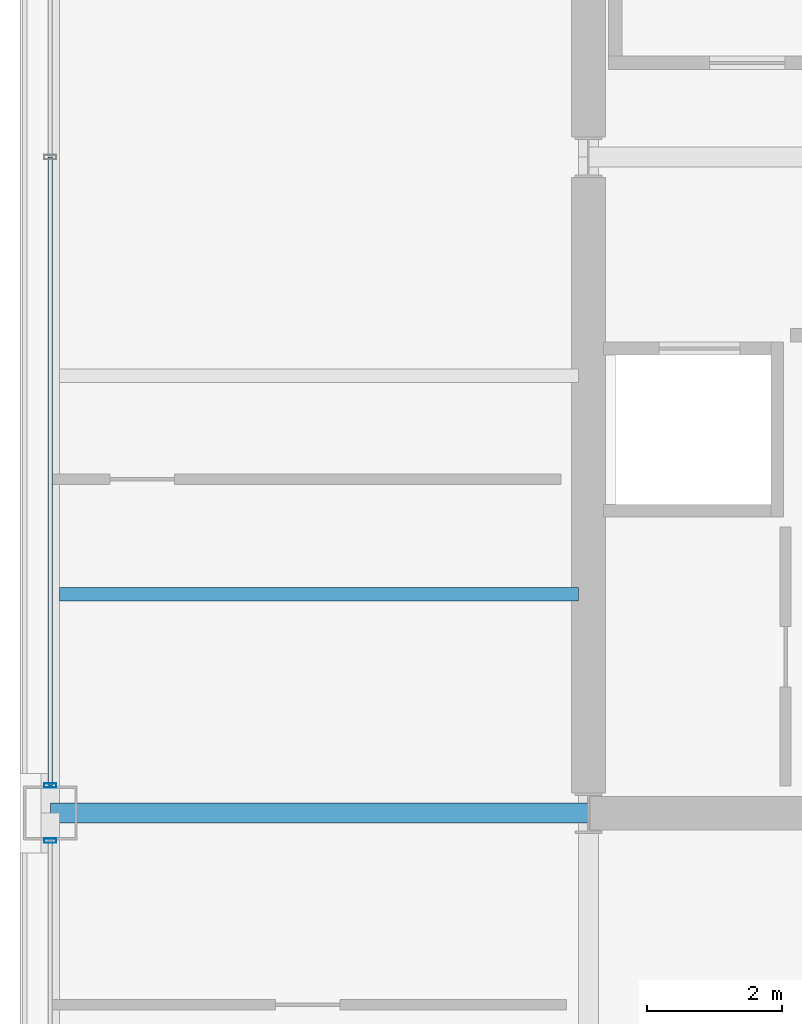
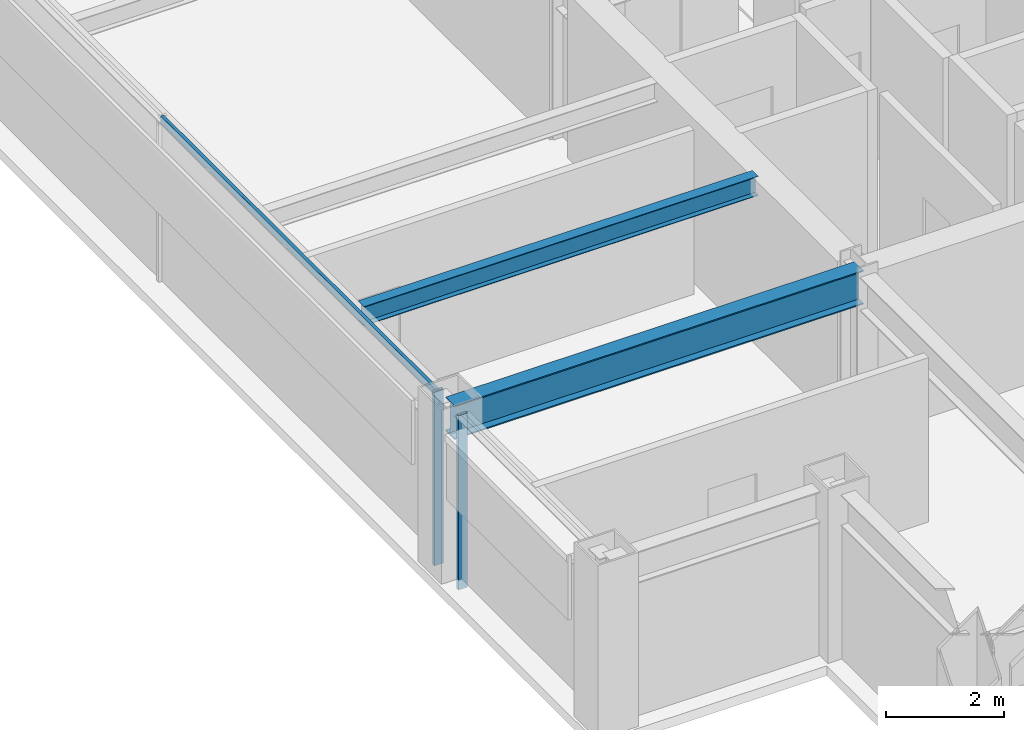
# One storey, part 4 of 29: 3 members, 2 beams, 2 elements without a shape of their own.
"""IFC4 building model written with IfcOpenShell, lengths in metres."""

from ifc_helpers import new_model, si_unit, direction, frame, origin, origin_2d, place, context, subcontext, project, spatial, hollow_rectangle, i_section, extrude, material, layer, layer_set, material_profile, profile_set, type_object, element, aggregate, save


model = new_model("IFC4")

# Units and contexts
model_context = context("Model", 3, precision=1e-05, world=origin(), true_north=direction((0.0, 1.0)))
body_context = subcontext(model_context, "Body", "Model", "MODEL_VIEW")
ifc_project = project(units=[si_unit("LENGTHUNIT", "METRE"), si_unit("AREAUNIT", "SQUARE_METRE"), si_unit("VOLUMEUNIT", "CUBIC_METRE"), si_unit("PLANEANGLEUNIT", "RADIAN"), si_unit("MASSUNIT", "GRAM", prefix="KILO")], contexts=[model_context])

# Site, building, storey
site_placement = place(None, origin())
site = spatial("IfcSite", under=ifc_project, at=site_placement, CompositionType="ELEMENT")
building_placement = place(site_placement, origin())
building = spatial("IfcBuilding", under=site, at=building_placement, Name="Brelmoor Portico Tower", CompositionType="ELEMENT")
storey_placement = place(building_placement, frame((0.0, 0.0, 124.199951171875)))
storey = spatial("IfcBuildingStorey", under=building, at=storey_placement, Name="L32", CompositionType="ELEMENT", Elevation=124.199951171875)

# Beams
ifc_material_1 = material(Name="Steel Q355B", Category="steel")
ifc_material_profile_1 = material_profile(ifc_material_1, i_section(OverallWidth=0.199951171875, OverallDepth=0.39990234375, WebThickness=0.008056640625, FlangeThickness=0.012939453125, at=origin_2d()), Name="HN 400x200x8x13")
ifc_profile_set_1 = profile_set([ifc_material_profile_1], Name="Steel Q355B")
beam_type_1 = type_object("IfcBeamType", Name="BM-JS-400", PredefinedType="JOIST", material=ifc_profile_set_1)
beam_1_placement = place(storey_placement, frame((-22.409912109375, -6.5, 3.199951171875), z_axis=(1.0, 0.0, 0.0), x_axis=(0.0, 1.0, 0.0)))
element("IfcBeam", 1, at=beam_1_placement, inside=storey, type_object=beam_type_1, Name="L32 Secondary Wing Joist JS-W05", PredefinedType="JOIST", context=body_context, shape_type="SweptSolid", body=[
    extrude(i_section(OverallWidth=0.199951171875, OverallDepth=0.39990234375, WebThickness=0.008056640625, FlangeThickness=0.012939453125, at=origin_2d()), origin(), (0.0, 0.0, 1.0), 7.7099609375),
])
ifc_material_profile_2 = material_profile(ifc_material_1, i_section(OverallWidth=0.300048828125, OverallDepth=0.699951171875, WebThickness=0.012939453125, FlangeThickness=0.02392578125, at=origin_2d()), Name="HN 700x300x13x24")
ifc_profile_set_2 = profile_set([ifc_material_profile_2], Name="Steel Q355B")
beam_type_2 = type_object("IfcBeamType", Name="BM-PG-700", PredefinedType="BEAM", material=ifc_profile_set_2)
beam_2_placement = place(storey_placement, frame((-22.550048828125, -9.75, 3.050048828125), z_axis=(1.0, 0.0, 0.0), x_axis=(0.0, 1.0, 0.0)))
element("IfcBeam", 2, at=beam_2_placement, inside=storey, type_object=beam_type_2, Name="L32 Primary Floor Girder PG-14", PredefinedType="BEAM", context=body_context, shape_type="SweptSolid", body=[
    extrude(i_section(OverallWidth=0.300048828125, OverallDepth=0.699951171875, WebThickness=0.012939453125, FlangeThickness=0.02392578125, at=origin_2d()), origin(), (0.0, 0.0, 1.0), 8.0),
])

# Curtain wall, member
ifc_material_2 = material(Name="Anodised Aluminium Alloy 6063-T6", Category="aluminium")
ifc_layer = layer(ifc_material_2, 0.179931640625)
ifc_layer_set = layer_set([ifc_layer], Name="Anodised Aluminium Alloy 6063-T6")
curtain_wall_type = type_object("IfcCurtainWallType", Name="CW-TOWER-Z2-XB", PredefinedType="NOTDEFINED", material=ifc_layer_set)
curtain_wall_1_placement = place(storey_placement, origin())
curtain_wall_1 = element("IfcCurtainWall", 3, at=curtain_wall_1_placement, inside=storey, type_object=curtain_wall_type, Name="L32 Curtain Wall CW-L32-03-1", PredefinedType="NOTDEFINED")
ifc_material_profile_3 = material_profile(ifc_material_2, hollow_rectangle(XDim=0.06494140625, YDim=0.179931640625, WallThickness=0.00390625, at=origin_2d()), Name="ALU MULLION 65x180")
ifc_profile_set_3 = profile_set([ifc_material_profile_3], Name="Anodised Aluminium Alloy 6063-T6")
member_type_1 = type_object("IfcMemberType", Name="MB-CW-MULL-180", PredefinedType="MULLION", material=ifc_profile_set_3)
member_1_placement = place(storey_placement, frame((-22.550048828125, -10.159912109375, -0.199951171875), z_axis=(0.0, 0.0, 1.0), x_axis=(0.0, 1.0, 0.0)))
member_1 = element("IfcMember", 4, at=member_1_placement, type_object=member_type_1, Name="CW-L32-03-1 Mullion 01", PredefinedType="MULLION", context=body_context, shape_type="SweptSolid", body=[
    extrude(hollow_rectangle(XDim=0.06494140625, YDim=0.179931640625, WallThickness=0.00390625, at=origin_2d()), origin(), (0.0, 0.0, 1.0), 3.60009765625),
])
aggregate(curtain_wall_1, [member_1])

# Curtain wall, members
curtain_wall_2_placement = place(storey_placement, origin())
curtain_wall_2 = element("IfcCurtainWall", 5, at=curtain_wall_2_placement, inside=storey, type_object=curtain_wall_type, Name="L32 Curtain Wall CW-L32-03-2", PredefinedType="NOTDEFINED")
member_2_placement = place(storey_placement, frame((-22.550048828125, -9.340087890625, -0.199951171875), z_axis=(0.0, 0.0, 1.0), x_axis=(0.0, 1.0, 0.0)))
member_2 = element("IfcMember", 6, at=member_2_placement, type_object=member_type_1, Name="CW-L32-03-2 Mullion 00", PredefinedType="MULLION", context=body_context, shape_type="SweptSolid", body=[
    extrude(hollow_rectangle(XDim=0.06494140625, YDim=0.179931640625, WallThickness=0.00390625, at=origin_2d()), origin(), (0.0, 0.0, 1.0), 3.60009765625),
])
ifc_material_profile_4 = material_profile(ifc_material_2, hollow_rectangle(XDim=0.06494140625, YDim=0.139892578125, WallThickness=0.00390625, at=origin_2d()), Name="ALU TRANSOM 65x140")
ifc_profile_set_4 = profile_set([ifc_material_profile_4], Name="Anodised Aluminium Alloy 6063-T6")
member_type_2 = type_object("IfcMemberType", Name="MB-CW-TRAN-140", PredefinedType="USERDEFINED", material=ifc_profile_set_4)
member_3_placement = place(storey_placement, frame((-22.550048828125, -9.340087890625, 3.330078125), z_axis=(0.0, 1.0, 0.0), x_axis=(-1.0, 0.0, 0.0)))
member_3 = element("IfcMember", 7, at=member_3_placement, type_object=member_type_2, Name="CW-L32-03-2 Transom 1-00", ObjectType="TRANSOM", PredefinedType="USERDEFINED", context=body_context, shape_type="SweptSolid", body=[
    extrude(hollow_rectangle(XDim=0.06494140625, YDim=0.139892578125, WallThickness=0.00390625, at=origin_2d()), origin(), (0.0, 0.0, 1.0), 9.340087890625),
])
aggregate(curtain_wall_2, [member_2, member_3])

save(model, "model.ifc")
